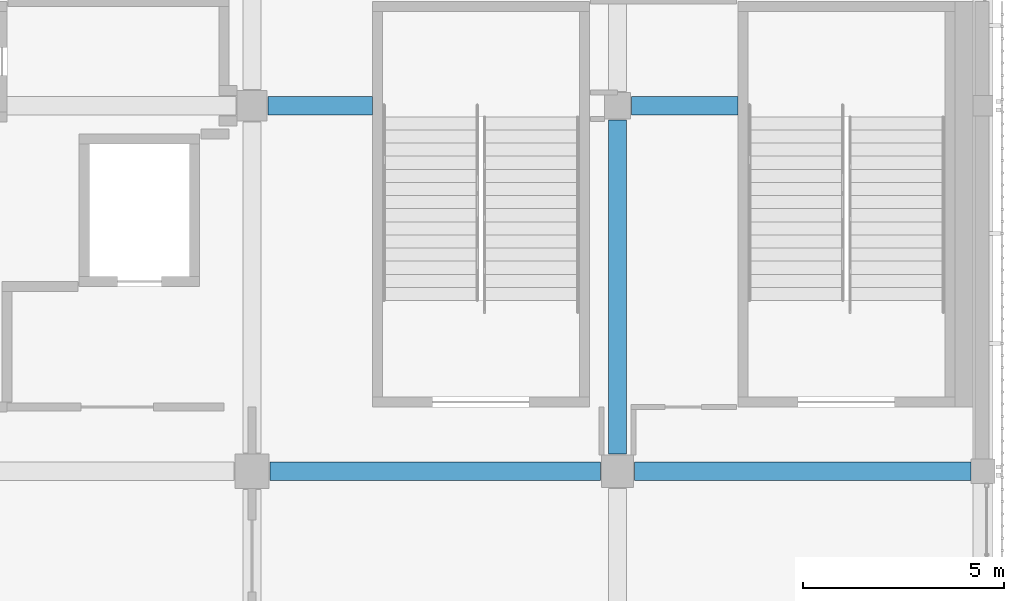
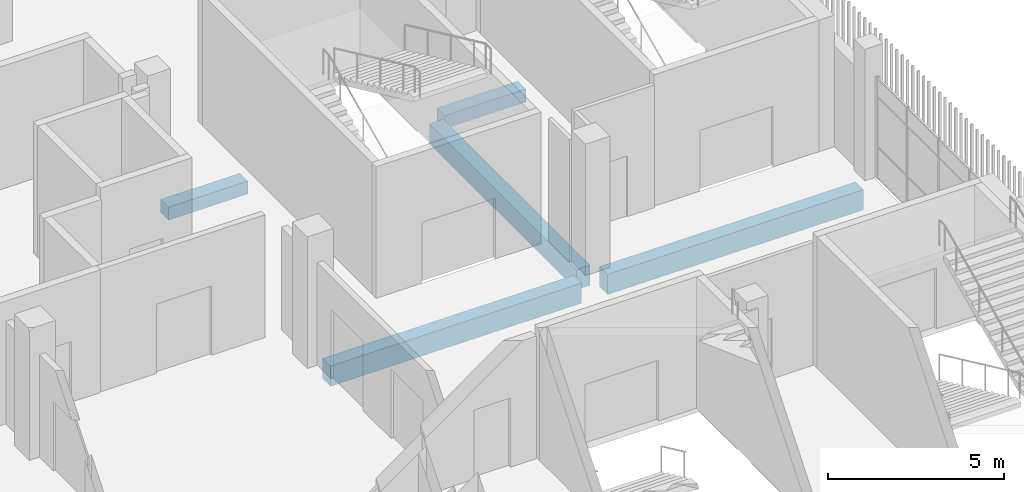
# One storey, part 49 of 126: 5 beams.
"""IFC4 building model written with IfcOpenShell, lengths in metres."""

from ifc_helpers import new_model, si_unit, direction, frame, origin, origin_2d, place, context, subcontext, project, spatial, rectangle, extrude, material, material_profile, profile_set, type_object, element, save


model = new_model("IFC4")

# Units and contexts
model_context = context("Model", 3, precision=1e-05, world=origin(), true_north=direction((0.0, 1.0)))
body_context = subcontext(model_context, "Body", "Model", "MODEL_VIEW")
ifc_project = project(units=[si_unit("LENGTHUNIT", "METRE"), si_unit("AREAUNIT", "SQUARE_METRE"), si_unit("VOLUMEUNIT", "CUBIC_METRE"), si_unit("PLANEANGLEUNIT", "RADIAN"), si_unit("MASSUNIT", "GRAM", prefix="KILO")], contexts=[model_context])

# Site, building, storey
site_placement = place(None, origin())
site = spatial("IfcSite", under=ifc_project, at=site_placement, CompositionType="ELEMENT")
building_placement = place(site_placement, origin())
building = spatial("IfcBuilding", under=site, at=building_placement, Name="Shirokan Park Arena", CompositionType="ELEMENT")
storey_placement = place(building_placement, frame((0.0, 0.0, 6.3701171875)))
storey = spatial("IfcBuildingStorey", under=building, at=storey_placement, Name="L01", CompositionType="ELEMENT", Elevation=6.3701171875)

# Beams
ifc_material = material(Name="Concrete C35", Category="concrete")
ifc_material_profile_1 = material_profile(ifc_material, rectangle(XDim=0.449951171875, YDim=0.699951171875, at=origin_2d()), Name="450x700")
ifc_profile_set_1 = profile_set([ifc_material_profile_1], Name="Concrete C35")
beam_type_1 = type_object("IfcBeamType", Name="RC girder 450x700", PredefinedType="BEAM", material=ifc_profile_set_1)
beam_1_placement = place(storey_placement, frame((127.85009765625, 18.199951171875, -0.7001953125), z_axis=(1.0, 0.0, 0.0), x_axis=(0.0, 1.0, 0.0)))
element("IfcBeam", 1, at=beam_1_placement, inside=storey, type_object=beam_type_1, Name="Girder 15C-16C L01", PredefinedType="BEAM", context=body_context, shape_type="SweptSolid", body=[
    extrude(rectangle(XDim=0.449951171875, YDim=0.699951171875, at=origin_2d()), origin(), (0.0, 0.0, 1.0), 8.224853515625),
])
beam_2_placement = place(storey_placement, frame((136.925048828125, 18.199951171875, -0.7001953125), z_axis=(1.0, 0.0, 0.0), x_axis=(0.0, 1.0, 0.0)))
element("IfcBeam", 2, at=beam_2_placement, inside=storey, type_object=beam_type_1, Name="Girder 16C-17C L01", PredefinedType="BEAM", context=body_context, shape_type="SweptSolid", body=[
    extrude(rectangle(XDim=0.449951171875, YDim=0.699951171875, at=origin_2d()), origin(), (0.0, 0.0, 1.0), 8.374755859375),
])
beam_3_placement = place(storey_placement, frame((136.5, 18.625, -0.7001953125), z_axis=(0.0, 1.0, 0.0), x_axis=(-1.0, 0.0, 0.0)))
element("IfcBeam", 3, at=beam_3_placement, inside=storey, type_object=beam_type_1, Name="Girder 16C-16D L01", PredefinedType="BEAM", context=body_context, shape_type="SweptSolid", body=[
    extrude(rectangle(XDim=0.449951171875, YDim=0.699951171875, at=origin_2d()), origin(), (0.0, 0.0, 1.0), 8.324951171875),
])
ifc_material_profile_2 = material_profile(ifc_material, rectangle(XDim=0.449951171875, YDim=0.449951171875, at=origin_2d()), Name="450x450")
ifc_profile_set_2 = profile_set([ifc_material_profile_2], Name="Concrete C35")
beam_type_2 = type_object("IfcBeamType", Name="RC trimmer 450x450", PredefinedType="BEAM", material=ifc_profile_set_2)
beam_4_placement = place(storey_placement, frame((127.800048828125, 27.300048828125, -0.5751953125), z_axis=(1.0, 0.0, 0.0), x_axis=(0.0, 1.0, 0.0)))
element("IfcBeam", 4, at=beam_4_placement, inside=storey, type_object=beam_type_2, Name="Girder 15D-16D L01", PredefinedType="BEAM", context=body_context, shape_type="SweptSolid", body=[
    extrude(rectangle(XDim=0.449951171875, YDim=0.449951171875, at=origin_2d()), origin(), (0.0, 0.0, 1.0), 2.599853515625),
])
beam_5_placement = place(storey_placement, frame((136.85009765625, 27.300048828125, -0.5751953125), z_axis=(1.0, 0.0, 0.0), x_axis=(0.0, 1.0, 0.0)))
element("IfcBeam", 5, at=beam_5_placement, inside=storey, type_object=beam_type_2, Name="Girder 16D-17D L01", PredefinedType="BEAM", context=body_context, shape_type="SweptSolid", body=[
    extrude(rectangle(XDim=0.449951171875, YDim=0.449951171875, at=origin_2d()), origin(), (0.0, 0.0, 1.0), 2.64990234375),
])

save(model, "model.ifc")
